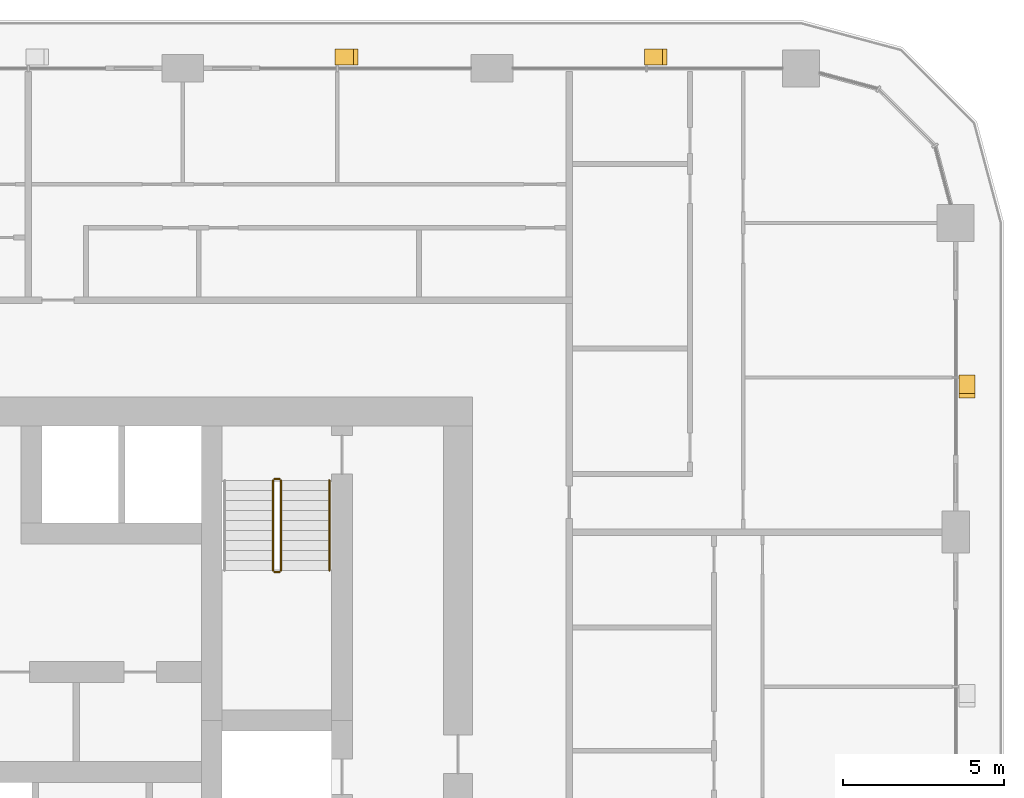
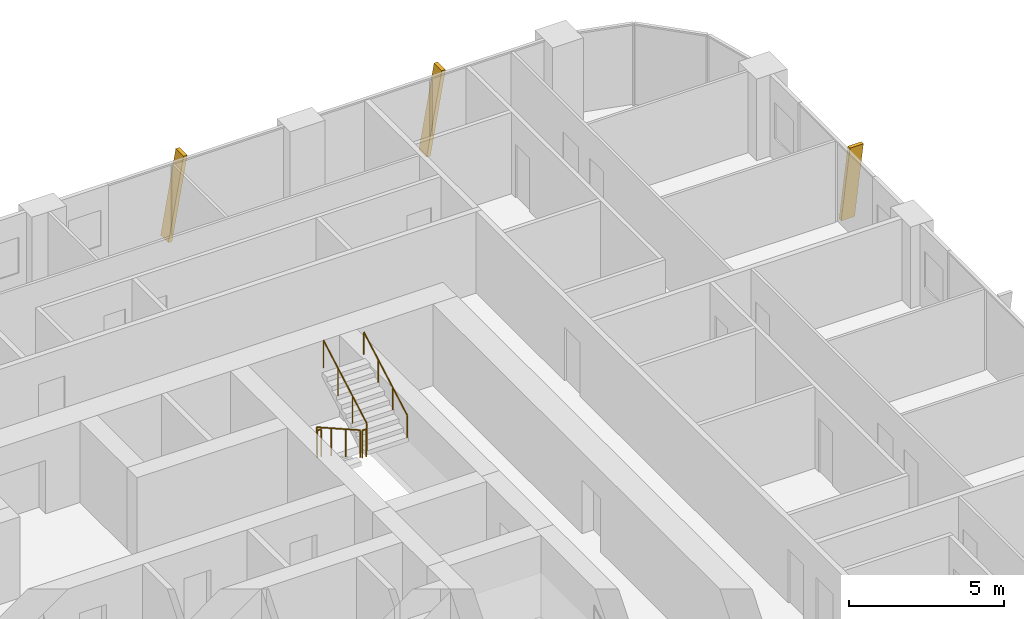
# One storey, part 22 of 22: 5 railings, 3 shading devices.
"""IFC4 building model written with IfcOpenShell, lengths in metres."""

import ifcopenshell
import ifcopenshell.guid

model = None  # the IFC model being written
_history = None  # IfcOwnerHistory: only IFC2X3 demands one
_inside = {}  # id of a spatial element -> (the spatial element, [elements in it])
_under = {}  # id of a project, library or spatial element -> (it, [spatial elements below it])
_declared = {}  # id of a project -> (the project, [libraries it declares])
_typed = {}  # id of a type object -> (the type object, [elements of that type])
_made_of = {}  # id of a material, layer set ... -> (it, [elements and type objects made of it])


def new_model(schema):
    """Start an empty IFC model of exactly this schema.

    Asked for "IFC4X3", IfcOpenShell would pick the latest addendum, in which some entities
    have other attributes; the version numbers below select the first issue.
    IFC2X3 requires an IfcOwnerHistory on every rooted entity: one is made here for all.
    """
    global model, _history
    if schema == "IFC4X3":
        model = ifcopenshell.file(schema_version=(4, 3, 0, 0))
    else:
        model = ifcopenshell.file(schema=schema)
    _inside.clear()
    _under.clear()
    _declared.clear()
    _typed.clear()
    _made_of.clear()
    _history = None
    if model.schema == "IFC2X3":
        org = make("IfcOrganization", Name="unknown")
        user = make(
            "IfcPersonAndOrganization",
            ThePerson=make("IfcPerson", FamilyName="unknown"),
            TheOrganization=org,
        )
        app = make(
            "IfcApplication",
            ApplicationDeveloper=org,
            Version="unknown",
            ApplicationFullName="unknown",
            ApplicationIdentifier="unknown",
        )
        _history = make(
            "IfcOwnerHistory",
            OwningUser=user,
            OwningApplication=app,
            ChangeAction="ADDED",
            CreationDate=0,
        )
    return model


def make(cls, **values):
    """One entity of the class cls with the attributes given. An attribute that is None is left unset."""
    return model.create_entity(
        cls, **{name: value for name, value in values.items() if value is not None}
    )


def rooted(cls, **values):
    """An entity with a GlobalId (a new one), such as an element, a storey or a relation."""
    return make(cls, GlobalId=ifcopenshell.guid.new(), OwnerHistory=_history, **values)


def si_unit(unit_type, name, prefix=None):
    """IfcSIUnit, for example si_unit("LENGTHUNIT", "METRE", prefix="MILLI")."""
    return make("IfcSIUnit", UnitType=unit_type, Prefix=prefix, Name=name)


def assignment(units):
    """IfcUnitAssignment: the units of a project."""
    return None if units is None else make("IfcUnitAssignment", Units=units)


def point(xyz):
    """IfcCartesianPoint."""
    return None if xyz is None else make("IfcCartesianPoint", Coordinates=xyz)


def direction(xyz):
    """IfcDirection."""
    return None if xyz is None else make("IfcDirection", DirectionRatios=xyz)


def frame(location, z_axis=None, x_axis=None):
    """IfcAxis2Placement3D, a coordinate frame: its origin and axes. An axis left out is left unset."""
    return make(
        "IfcAxis2Placement3D",
        Location=point(location),
        Axis=direction(z_axis),
        RefDirection=direction(x_axis),
    )


def frame_2d(location, x_axis=None):
    """IfcAxis2Placement2D, a coordinate frame in the plane: its origin and x axis."""
    return make(
        "IfcAxis2Placement2D", Location=point(location), RefDirection=direction(x_axis)
    )


def origin():
    """The frame at (0, 0, 0) with its axes left unset."""
    return frame((0.0, 0.0, 0.0))


def origin_2d():
    """The frame at (0, 0) in the plane with its x axis left unset."""
    return frame_2d((0.0, 0.0))


def place(relative_to, where):
    """IfcLocalPlacement: puts the frame where relative to a parent placement (None: the world)."""
    return make(
        "IfcLocalPlacement", PlacementRelTo=relative_to, RelativePlacement=where
    )


def context(
    kind, dimensions, precision=None, world=None, true_north=None, identifier=None
):
    """IfcGeometricRepresentationContext, for example the 3D "Model" context."""
    return make(
        "IfcGeometricRepresentationContext",
        ContextIdentifier=identifier,
        ContextType=kind,
        CoordinateSpaceDimension=dimensions,
        Precision=precision,
        WorldCoordinateSystem=world,
        TrueNorth=true_north,
    )


def subcontext(parent, identifier, kind, view, scale=None):
    """IfcGeometricRepresentationSubContext, for example "Body" below "Model"."""
    return make(
        "IfcGeometricRepresentationSubContext",
        ContextIdentifier=identifier,
        ContextType=kind,
        ParentContext=parent,
        TargetScale=scale,
        TargetView=view,
    )


def project(units=None, contexts=None):
    """IfcProject with its units and contexts."""
    return rooted(
        "IfcProject",
        Name="project",
        RepresentationContexts=contexts,
        UnitsInContext=assignment(units),
    )


def spatial(cls, under=None, at=None, **own):
    """A site, building, storey or space (cls), placed at a placement, below another one or the project."""
    s = rooted(cls, ObjectPlacement=at, **own)
    if under is not None:
        _under.setdefault(under.id(), (under, []))[1].append(s)
    return s


def polyline(points):
    """IfcPolyline through the points."""
    return make("IfcPolyline", Points=[point(p) for p in points])


def profile(cls, at=None, kind="AREA", **sizes):
    """A parametric profile (cls). Its sizes go by their IFC names, for example OverallWidth=200.0."""
    return make(cls, ProfileType=kind, Position=at, **sizes)


def circle(**sizes):
    """IfcCircleProfileDef."""
    return profile("IfcCircleProfileDef", **sizes)


def outline(outer, holes=None, kind="AREA"):
    """IfcArbitraryClosedProfileDef: a profile drawn as a closed curve; with holes, ...WithVoids."""
    if holes is None:
        return make("IfcArbitraryClosedProfileDef", ProfileType=kind, OuterCurve=outer)
    return make(
        "IfcArbitraryProfileDefWithVoids",
        ProfileType=kind,
        OuterCurve=outer,
        InnerCurves=holes,
    )


def extrude(swept, where, along, depth):
    """IfcExtrudedAreaSolid: the profile swept, set in the frame where, extruded along a direction by depth."""
    return make(
        "IfcExtrudedAreaSolid",
        SweptArea=swept,
        Position=where,
        ExtrudedDirection=direction(along),
        Depth=depth,
    )


def shape(context_of_items, identifier, shape_type, items):
    """IfcShapeRepresentation: the items that make up one representation, for example the "Body"."""
    return make(
        "IfcShapeRepresentation",
        ContextOfItems=context_of_items,
        RepresentationIdentifier=identifier,
        RepresentationType=shape_type,
        Items=items,
    )


def material(Name=None, Category=None):
    """IfcMaterial."""
    return make("IfcMaterial", Name=Name, Category=Category)


def made_of(thing, what):
    """Note that an element or type object is made of a material, layer set ...; save() writes the relation."""
    if what is not None:
        _made_of.setdefault(what.id(), (what, []))[1].append(thing)
    return thing


def type_object(cls, material=None, **own):
    """A type object (cls), such as IfcWallType, which elements share."""
    return made_of(rooted(cls, **own), material)


def element(
    cls,
    number,
    at=None,
    inside=None,
    cuts=None,
    type_object=None,
    material=None,
    context=None,
    identifier="Body",
    shape_type=None,
    held_by="IfcProductDefinitionShape",
    body=None,
    shapes=None,
    **own,
):
    """One element of the class cls, such as IfcWall. Its Tag is "e" and its number.

    at: its placement. inside: the storey or other place that contains it. cuts: it is an
    opening in that element (IfcRelVoidsElement). A single representation is given by context,
    identifier, shape_type and body (its items); several are given by shapes. held_by: the class
    of the entity that holds the representations. save() writes the other relations.
    """
    e = rooted(cls, Tag="e%d" % number, ObjectPlacement=at, **own)
    if body is not None:
        shapes = [shape(context, identifier, shape_type, body)]
    if shapes is not None:
        e.Representation = make(held_by, Representations=shapes)
    if inside is not None:
        _inside.setdefault(inside.id(), (inside, []))[1].append(e)
    if cuts is not None:
        rooted(
            "IfcRelVoidsElement", RelatingBuildingElement=cuts, RelatedOpeningElement=e
        )
    if type_object is not None:
        _typed.setdefault(type_object.id(), (type_object, []))[1].append(e)
    return made_of(e, material)


def aggregate(whole, parts):
    """IfcRelAggregates: a whole, such as a stair, and the parts it consists of."""
    return rooted("IfcRelAggregates", RelatingObject=whole, RelatedObjects=parts)


def save(model, path):
    """Write the relations noted so far, then the file.

    IfcRelAggregates (storeys below a building ...), IfcRelContainedInSpatialStructure (elements
    in a storey), IfcRelDefinesByType, IfcRelAssociatesMaterial and IfcRelDeclares: one each for
    every whole, place, type object, material and project.
    """
    for whole, parts in _under.values():
        aggregate(whole, parts)
    for where, things in _inside.values():
        rooted(
            "IfcRelContainedInSpatialStructure",
            RelatedElements=things,
            RelatingStructure=where,
        )
    for kind, things in _typed.values():
        rooted("IfcRelDefinesByType", RelatedObjects=things, RelatingType=kind)
    for what, things in _made_of.values():
        rooted("IfcRelAssociatesMaterial", RelatedObjects=things, RelatingMaterial=what)
    for by, libraries in _declared.values():
        rooted("IfcRelDeclares", RelatingContext=by, RelatedDefinitions=libraries)
    model.write(path)


model = new_model("IFC4")

# Units and contexts
model_context = context("Model", 3, precision=1e-05, world=origin(), true_north=direction((0.0, 1.0)))
body_context = subcontext(model_context, "Body", "Model", "MODEL_VIEW")
ifc_project = project(units=[si_unit("LENGTHUNIT", "METRE"), si_unit("AREAUNIT", "SQUARE_METRE"), si_unit("VOLUMEUNIT", "CUBIC_METRE"), si_unit("PLANEANGLEUNIT", "RADIAN"), si_unit("MASSUNIT", "GRAM", prefix="KILO")], contexts=[model_context])

# Site, building, storey
site_placement = place(None, origin())
site = spatial("IfcSite", under=ifc_project, at=site_placement, CompositionType="ELEMENT")
building_placement = place(site_placement, origin())
building = spatial("IfcBuilding", under=site, at=building_placement, Name="Madar Terraces", CompositionType="ELEMENT")
storey_placement = place(building_placement, frame((0.0, 0.0, 69.800048828125)))
storey = spatial("IfcBuildingStorey", under=building, at=storey_placement, Name="L17", CompositionType="ELEMENT", Elevation=69.800048828125)

# Shading devices
ifc_material_1 = material(Name="Aluminium, black anodised", Category="aluminium")
shading_device_type = type_object("IfcShadingDeviceType", Name="Facade fin blade 140 x 500", PredefinedType="USERDEFINED", material=ifc_material_1)
shading_device_placement = place(storey_placement, frame((62.75, 38.330078125, 0.0), z_axis=(0.0, 0.0, 1.0), x_axis=(0.0, 1.0, 0.0)))
element("IfcShadingDevice", 1, at=shading_device_placement, inside=storey, type_object=shading_device_type, Name="FIN L17 E4", ObjectType="FIN", PredefinedType="USERDEFINED", context=body_context, shape_type="SweptSolid", body=[
    extrude(outline(polyline([(0.0, 0.0), (0.139892578125, 0.0), (-0.42431640625, 3.199951171875), (-0.564208984375, 3.199951171875), (0.0, 0.0)])), frame((0.0, 0.25, 0.0), z_axis=(0.0, -1.0, 0.0), x_axis=(1.0, 0.0, 0.0)), (0.0, 0.0, 1.0), 0.5),
])
for number, where, z_axis, x_axis, name in (
    (2, (52.8701171875, 48.35009765625, 0.0), (0.0, 0.0, 1.0), (-1.0, 0.0, 0.0), "FIN L17 N1"),
    (3, (43.27001953125, 48.35009765625, 0.0), (0.0, 0.0, 1.0), (-1.0, 0.0, 0.0), "FIN L17 N2"),
):
    element("IfcShadingDevice", number, at=place(storey_placement, frame(where, z_axis=z_axis, x_axis=x_axis)), inside=storey, type_object=shading_device_type, Name=name, ObjectType="FIN", PredefinedType="USERDEFINED", context=body_context, shape_type="SweptSolid", body=[
        extrude(outline(polyline([(0.0, 0.0), (0.14013671875, 0.0), (-0.42431640625, 3.199951171875), (-0.564208984375, 3.199951171875), (0.0, 0.0)])), frame((0.0, 0.25, 0.0), z_axis=(0.0, -1.0, 0.0), x_axis=(1.0, 0.0, 0.0)), (0.0, 0.0, 1.0), 0.5),
    ])

# Railings
ifc_material_2 = material(Name="Stainless steel railing", Category="steel")
railing_type_1 = type_object("IfcRailingType", Name="Stair guard 1100", PredefinedType="GUARDRAIL", material=ifc_material_2)
railing_1_placement = place(storey_placement, frame((41.199951171875, 35.199951171875, 0.175048828125)))
element("IfcRailing", 4, at=railing_1_placement, inside=storey, type_object=railing_type_1, Name="L17 ST2 stair guard 1", PredefinedType="GUARDRAIL", context=body_context, shape_type="SweptSolid", body=[
    extrude(circle(Radius=0.02392578125, at=origin_2d()), frame((0.0, 0.0, 1.076171875), z_axis=(0.0, -0.870833779661, 0.491577591232), x_axis=(1.0, 0.0, 0.0)), (0.0, 0.0, 1.0), 3.203857421875),
    extrude(circle(Radius=0.02099609375, at=origin_2d()), origin(), (0.0, 0.0, 1.0), 1.052001953125),
    extrude(circle(Radius=0.02099609375, at=origin_2d()), frame((0.0, -0.929931640625, 0.52490234375)), (0.0, 0.0, 1.0), 1.052001953125),
    extrude(circle(Radius=0.02099609375, at=origin_2d()), frame((0.0, -1.860107421875, 1.050048828125)), (0.0, 0.0, 1.0), 1.052001953125),
    extrude(circle(Radius=0.02099609375, at=origin_2d()), frame((0.0, -2.7900390625, 1.574951171875)), (0.0, 0.0, 1.0), 1.052001953125),
])
railing_2_placement = place(storey_placement, frame((41.25, 32.360107421875, 1.75)))
element("IfcRailing", 5, at=railing_2_placement, inside=storey, type_object=railing_type_1, Name="L17 ST2 stair guard 2", PredefinedType="GUARDRAIL", context=body_context, shape_type="SweptSolid", body=[
    extrude(circle(Radius=0.02392578125, at=origin_2d()), frame((0.0, 0.0, 1.076171875), z_axis=(1.0, 0.0, 0.0), x_axis=(0.0, 1.0, 0.0)), (0.0, 0.0, 1.0), 0.14990234375),
    extrude(circle(Radius=0.02099609375, at=origin_2d()), origin(), (0.0, 0.0, 1.0), 1.052001953125),
    extrude(circle(Radius=0.02099609375, at=origin_2d()), frame((0.14990234375, 0.0, 0.0)), (0.0, 0.0, 1.0), 1.052001953125),
])
railing_3_placement = place(storey_placement, frame((41.449951171875, 32.409912109375, 1.925048828125)))
element("IfcRailing", 6, at=railing_3_placement, inside=storey, type_object=railing_type_1, Name="L17 ST2 stair guard 3", PredefinedType="GUARDRAIL", context=body_context, shape_type="SweptSolid", body=[
    extrude(circle(Radius=0.02392578125, at=origin_2d()), frame((0.0, 0.0, 1.076171875), z_axis=(0.0, 0.870833779661, 0.491577591232), x_axis=(-1.0, 0.0, 0.0)), (0.0, 0.0, 1.0), 3.203857421875),
    extrude(circle(Radius=0.02099609375, at=origin_2d()), origin(), (0.0, 0.0, 1.0), 1.052001953125),
    extrude(circle(Radius=0.02099609375, at=origin_2d()), frame((0.0, 0.929931640625, 0.52490234375)), (0.0, 0.0, 1.0), 1.052001953125),
    extrude(circle(Radius=0.02099609375, at=origin_2d()), frame((0.0, 1.860107421875, 1.050048828125)), (0.0, 0.0, 1.0), 1.052001953125),
    extrude(circle(Radius=0.02099609375, at=origin_2d()), frame((0.0, 2.7900390625, 1.574951171875)), (0.0, 0.0, 1.0), 1.052001953125),
])
railing_4_placement = place(storey_placement, frame((41.25, 35.25, 0.0)))
element("IfcRailing", 7, at=railing_4_placement, inside=storey, type_object=railing_type_1, Name="L17 ST2 stair guard 4", PredefinedType="GUARDRAIL", context=body_context, shape_type="SweptSolid", body=[
    extrude(circle(Radius=0.02392578125, at=origin_2d()), frame((0.0, 0.0, 1.076171875), z_axis=(1.0, 0.0, 0.0), x_axis=(0.0, 1.0, 0.0)), (0.0, 0.0, 1.0), 0.14990234375),
    extrude(circle(Radius=0.02099609375, at=origin_2d()), origin(), (0.0, 0.0, 1.0), 1.052001953125),
    extrude(circle(Radius=0.02099609375, at=origin_2d()), frame((0.14990234375, 0.0, 0.0)), (0.0, 0.0, 1.0), 1.052001953125),
])
ifc_material_3 = material(Name="Stainless steel railing", Category="steel")
railing_type_2 = type_object("IfcRailingType", Name="Stair handrail 900", PredefinedType="HANDRAIL", material=ifc_material_3)
railing_5_placement = place(storey_placement, frame((42.949951171875, 32.409912109375, 1.925048828125)))
element("IfcRailing", 8, at=railing_5_placement, inside=storey, type_object=railing_type_2, Name="L17 ST2 stair handrail 2", PredefinedType="HANDRAIL", context=body_context, shape_type="SweptSolid", body=[
    extrude(circle(Radius=0.02392578125, at=origin_2d()), frame((0.0, 0.0, 0.8759765625), z_axis=(0.0, 0.870833779661, 0.491577591232), x_axis=(-1.0, 0.0, 0.0)), (0.0, 0.0, 1.0), 3.203857421875),
    extrude(circle(Radius=0.02099609375, at=origin_2d()), origin(), (0.0, 0.0, 1.0), 0.851806640625),
    extrude(circle(Radius=0.02099609375, at=origin_2d()), frame((0.0, 0.929931640625, 0.52490234375)), (0.0, 0.0, 1.0), 0.851806640625),
    extrude(circle(Radius=0.02099609375, at=origin_2d()), frame((0.0, 1.860107421875, 1.050048828125)), (0.0, 0.0, 1.0), 0.851806640625),
    extrude(circle(Radius=0.02099609375, at=origin_2d()), frame((0.0, 2.7900390625, 1.574951171875)), (0.0, 0.0, 1.0), 0.851806640625),
])

save(model, "model.ifc")
